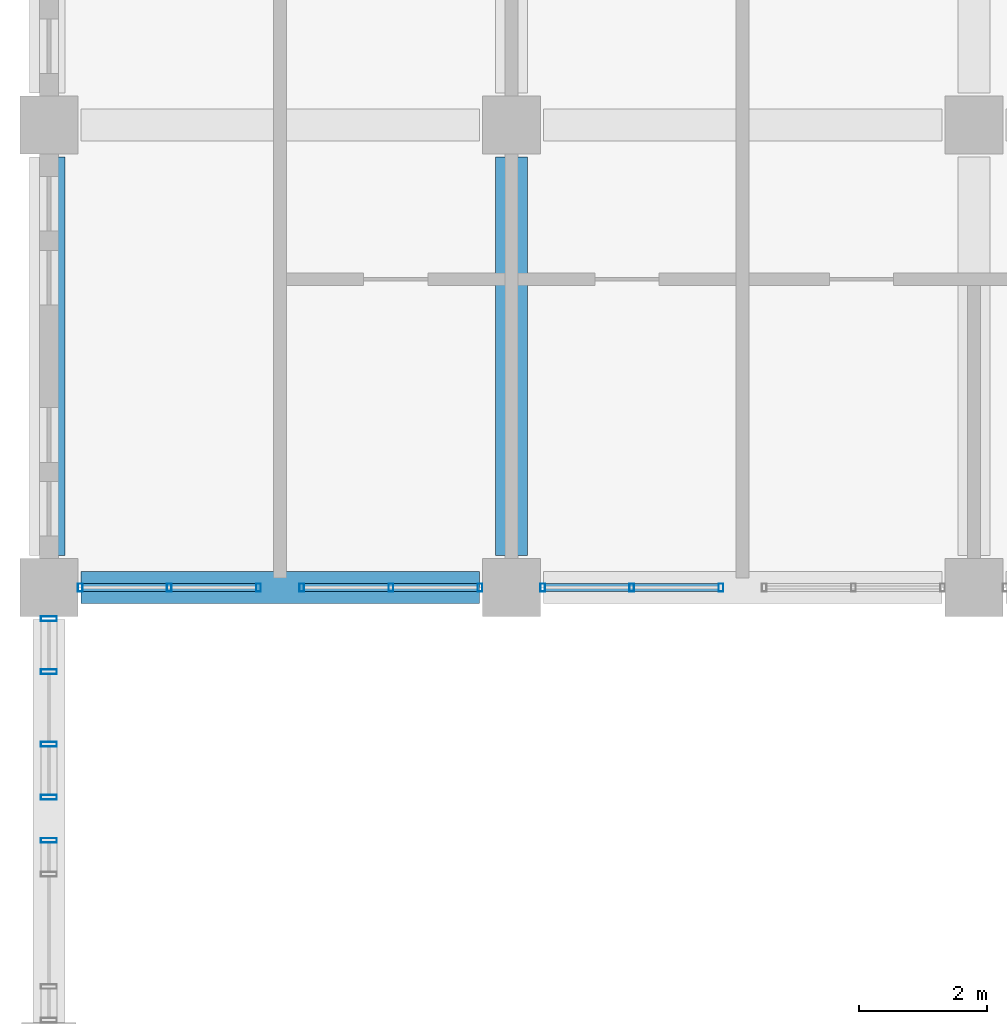
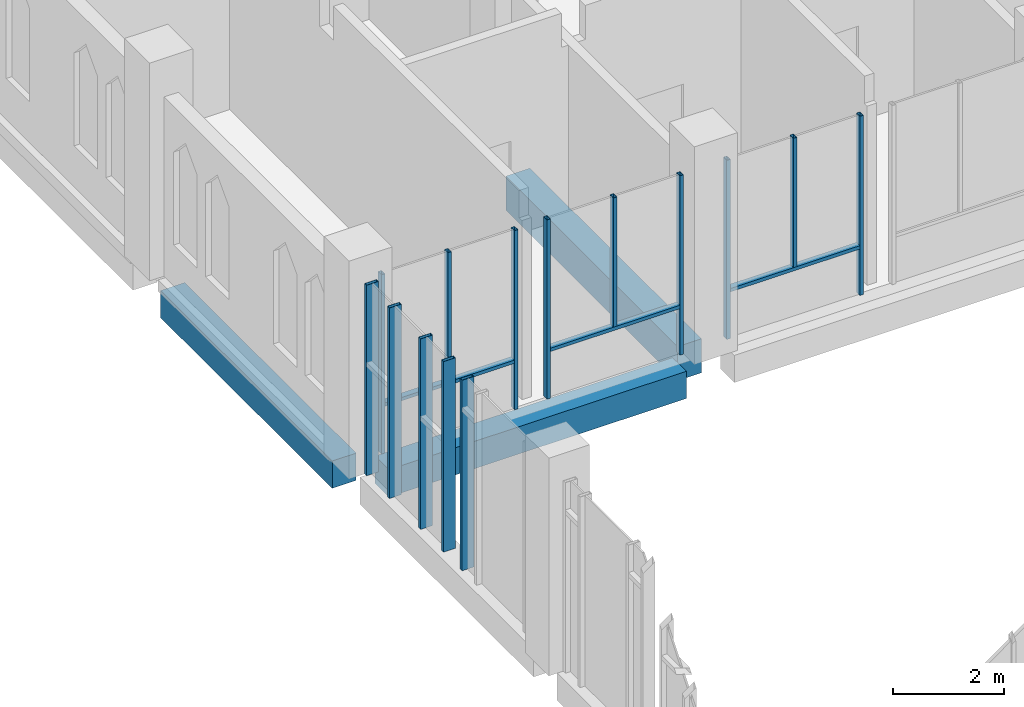
# One storey, part 7 of 40: 17 members, 3 beams, 5 elements without a shape of their own.
"""IFC4 building model written with IfcOpenShell, lengths in metres."""

from ifc_helpers import new_model, si_unit, direction, frame, origin, origin_2d, place, context, subcontext, project, spatial, rectangle, hollow_rectangle, extrude, material, material_profile, profile_set, type_object, element, aggregate, save


model = new_model("IFC4")

# Units and contexts
model_context = context("Model", 3, precision=1e-05, world=origin(), true_north=direction((0.0, 1.0)))
body_context = subcontext(model_context, "Body", "Model", "MODEL_VIEW")
ifc_project = project(units=[si_unit("LENGTHUNIT", "METRE"), si_unit("AREAUNIT", "SQUARE_METRE"), si_unit("VOLUMEUNIT", "CUBIC_METRE"), si_unit("PLANEANGLEUNIT", "RADIAN"), si_unit("MASSUNIT", "GRAM", prefix="KILO")], contexts=[model_context])

# Site, building, storey
site_placement = place(None, origin())
site = spatial("IfcSite", under=ifc_project, at=site_placement, CompositionType="ELEMENT")
building_placement = place(site_placement, origin())
building = spatial("IfcBuilding", under=site, at=building_placement, Name="Silangan Lancet Faculty of Sciences", CompositionType="ELEMENT")
storey_placement = place(building_placement, frame((0.0, 0.0, 16.800048828125)))
storey = spatial("IfcBuildingStorey", under=building, at=storey_placement, Name="L03", CompositionType="ELEMENT", Elevation=16.800048828125)

# Beams
ifc_material_1 = material(Name="Concrete C40/50", Category="concrete")
ifc_material_profile_1 = material_profile(ifc_material_1, rectangle(XDim=0.5, YDim=0.60009765625, at=origin_2d()), Name="RC 500x600")
ifc_profile_set_1 = profile_set([ifc_material_profile_1], Name="Concrete C40/50")
beam_type_1 = type_object("IfcBeamType", Name="BEAM RC 500x600", PredefinedType="BEAM", material=ifc_profile_set_1)
for number, where, z_axis, x_axis, name in (
    (1, (0.5, 36.0, -0.550048828125), (1.0, 0.0, 0.0), (0.0, 1.0, 0.0), "BM-L03-1F-2F"),
    (2, (0.0, 36.5, -0.550048828125), (0.0, 1.0, 0.0), (-1.0, 0.0, 0.0), "BM-L03-1F-1G"),
):
    element("IfcBeam", number, at=place(storey_placement, frame(where, z_axis=z_axis, x_axis=x_axis)), inside=storey, type_object=beam_type_1, Name=name, PredefinedType="BEAM", context=body_context, shape_type="SweptSolid", body=[
        extrude(rectangle(XDim=0.5, YDim=0.60009765625, at=origin_2d()), origin(), (0.0, 0.0, 1.0), 6.199951171875),
    ])
ifc_material_2 = material(Name="Concrete C40/50", Category="concrete")
ifc_material_profile_2 = material_profile(ifc_material_2, rectangle(XDim=0.5, YDim=0.75, at=origin_2d()), Name="RC 500x750")
ifc_profile_set_2 = profile_set([ifc_material_profile_2], Name="Concrete C40/50")
beam_type_2 = type_object("IfcBeamType", Name="BEAM RC 500x750", PredefinedType="BEAM", material=ifc_profile_set_2)
beam_placement = place(storey_placement, frame((7.199951171875, 36.5, -0.625), z_axis=(0.0, 1.0, 0.0), x_axis=(-1.0, 0.0, 0.0)))
element("IfcBeam", 3, at=beam_placement, inside=storey, type_object=beam_type_2, Name="BM-L03-2F-2G", PredefinedType="BEAM", context=body_context, shape_type="SweptSolid", body=[
    extrude(rectangle(XDim=0.5, YDim=0.75, at=origin_2d()), origin(), (0.0, 0.0, 1.0), 6.199951171875),
])

# Curtain wall, members
ifc_material_3 = material(Name="Aluminium framed curtain wall with insulated glass", Category="aluminium")
curtain_wall_type_1 = type_object("IfcCurtainWallType", Name="CW2 Atrium fire-resisting screen", PredefinedType="NOTDEFINED", material=ifc_material_3)
curtain_wall_1_placement = place(storey_placement, origin())
curtain_wall_1 = element("IfcCurtainWall", 4, at=curtain_wall_1_placement, inside=storey, type_object=curtain_wall_type_1, Name="CW2 Atrium north L03 bay 1", PredefinedType="NOTDEFINED")
ifc_material_4 = material(Name="Steel S355J2H", Category="steel")
ifc_material_profile_3 = material_profile(ifc_material_4, hollow_rectangle(XDim=0.074951171875, YDim=0.125, WallThickness=0.0048828125, at=origin_2d()), Name="ST BOX 75x125x5")
ifc_profile_set_3 = profile_set([ifc_material_profile_3], Name="Steel S355J2H")
member_type_1 = type_object("IfcMemberType", Name="CM2 Mullion 75x125", PredefinedType="MULLION", material=ifc_profile_set_3)
member_1_placement = place(storey_placement, frame((0.487548828125, 36.0, 0.0), z_axis=(0.0, 0.0, 1.0), x_axis=(1.0, 0.0, 0.0)))
member_1 = element("IfcMember", 5, at=member_1_placement, type_object=member_type_1, Name="CW2 Atrium north L03 bay 1 mullion 1", PredefinedType="MULLION", context=body_context, shape_type="SweptSolid", body=[
    extrude(hollow_rectangle(XDim=0.074951171875, YDim=0.125, WallThickness=0.0048828125, at=origin_2d()), origin(), (0.0, 0.0, 1.0), 3.949951171875),
])
member_2_placement = place(storey_placement, frame((3.2626953125, 36.0, 0.0), z_axis=(0.0, 0.0, 1.0), x_axis=(1.0, 0.0, 0.0)))
member_2 = element("IfcMember", 6, at=member_2_placement, type_object=member_type_1, Name="CW2 Atrium north L03 bay 1 mullion 2", PredefinedType="MULLION", context=body_context, shape_type="SweptSolid", body=[
    extrude(hollow_rectangle(XDim=0.074951171875, YDim=0.125, WallThickness=0.0048828125, at=origin_2d()), origin(), (0.0, 0.0, 1.0), 3.949951171875),
])
member_3_placement = place(storey_placement, frame((1.875, 36.0, 1.099853515625), z_axis=(0.0, 0.0, 1.0), x_axis=(1.0, 0.0, 0.0)))
member_3 = element("IfcMember", 7, at=member_3_placement, type_object=member_type_1, Name="CW2 Atrium north L03 bay 1 mullion 3", PredefinedType="MULLION", context=body_context, shape_type="SweptSolid", body=[
    extrude(hollow_rectangle(XDim=0.074951171875, YDim=0.125, WallThickness=0.0048828125, at=origin_2d()), origin(), (0.0, 0.0, 1.0), 2.85009765625),
])

curtain_wall_2_placement = place(storey_placement, origin())
curtain_wall_2 = element("IfcCurtainWall", 8, at=curtain_wall_2_placement, inside=storey, type_object=curtain_wall_type_1, Name="CW2 Atrium north L03 bay 2", PredefinedType="NOTDEFINED")
member_4_placement = place(storey_placement, frame((3.9375, 36.0, 0.0), z_axis=(0.0, 0.0, 1.0), x_axis=(1.0, 0.0, 0.0)))
member_4 = element("IfcMember", 9, at=member_4_placement, type_object=member_type_1, Name="CW2 Atrium north L03 bay 2 mullion 1", PredefinedType="MULLION", context=body_context, shape_type="SweptSolid", body=[
    extrude(hollow_rectangle(XDim=0.074951171875, YDim=0.125, WallThickness=0.0048828125, at=origin_2d()), origin(), (0.0, 0.0, 1.0), 3.949951171875),
])
member_5_placement = place(storey_placement, frame((6.71240234375, 36.0, 0.0), z_axis=(0.0, 0.0, 1.0), x_axis=(1.0, 0.0, 0.0)))
member_5 = element("IfcMember", 10, at=member_5_placement, type_object=member_type_1, Name="CW2 Atrium north L03 bay 2 mullion 2", PredefinedType="MULLION", context=body_context, shape_type="SweptSolid", body=[
    extrude(hollow_rectangle(XDim=0.074951171875, YDim=0.125, WallThickness=0.0048828125, at=origin_2d()), origin(), (0.0, 0.0, 1.0), 3.949951171875),
])
member_6_placement = place(storey_placement, frame((5.324951171875, 36.0, 1.099853515625), z_axis=(0.0, 0.0, 1.0), x_axis=(1.0, 0.0, 0.0)))
member_6 = element("IfcMember", 11, at=member_6_placement, type_object=member_type_1, Name="CW2 Atrium north L03 bay 2 mullion 3", PredefinedType="MULLION", context=body_context, shape_type="SweptSolid", body=[
    extrude(hollow_rectangle(XDim=0.074951171875, YDim=0.125, WallThickness=0.0048828125, at=origin_2d()), origin(), (0.0, 0.0, 1.0), 2.85009765625),
])

curtain_wall_3_placement = place(storey_placement, origin())
curtain_wall_3 = element("IfcCurtainWall", 12, at=curtain_wall_3_placement, inside=storey, type_object=curtain_wall_type_1, Name="CW2 Atrium north L03 bay 3", PredefinedType="NOTDEFINED")
member_7_placement = place(storey_placement, frame((7.6875, 36.0, 0.0), z_axis=(0.0, 0.0, 1.0), x_axis=(1.0, 0.0, 0.0)))
member_7 = element("IfcMember", 13, at=member_7_placement, type_object=member_type_1, Name="CW2 Atrium north L03 bay 3 mullion 1", PredefinedType="MULLION", context=body_context, shape_type="SweptSolid", body=[
    extrude(hollow_rectangle(XDim=0.074951171875, YDim=0.125, WallThickness=0.0048828125, at=origin_2d()), origin(), (0.0, 0.0, 1.0), 3.949951171875),
])
member_8_placement = place(storey_placement, frame((10.46240234375, 36.0, 0.0), z_axis=(0.0, 0.0, 1.0), x_axis=(1.0, 0.0, 0.0)))
member_8 = element("IfcMember", 14, at=member_8_placement, type_object=member_type_1, Name="CW2 Atrium north L03 bay 3 mullion 2", PredefinedType="MULLION", context=body_context, shape_type="SweptSolid", body=[
    extrude(hollow_rectangle(XDim=0.074951171875, YDim=0.125, WallThickness=0.0048828125, at=origin_2d()), origin(), (0.0, 0.0, 1.0), 3.949951171875),
])
member_9_placement = place(storey_placement, frame((9.074951171875, 36.0, 1.099853515625), z_axis=(0.0, 0.0, 1.0), x_axis=(1.0, 0.0, 0.0)))
member_9 = element("IfcMember", 15, at=member_9_placement, type_object=member_type_1, Name="CW2 Atrium north L03 bay 3 mullion 3", PredefinedType="MULLION", context=body_context, shape_type="SweptSolid", body=[
    extrude(hollow_rectangle(XDim=0.074951171875, YDim=0.125, WallThickness=0.0048828125, at=origin_2d()), origin(), (0.0, 0.0, 1.0), 2.85009765625),
])

# Curtain wall, member
ifc_material_5 = material(Name="Aluminium framed curtain wall with insulated glass", Category="aluminium")
curtain_wall_type_2 = type_object("IfcCurtainWallType", Name="CW6 West window middle bays", PredefinedType="NOTDEFINED", material=ifc_material_5)
curtain_wall_4_placement = place(storey_placement, origin())
curtain_wall_4 = element("IfcCurtainWall", 16, at=curtain_wall_4_placement, inside=storey, type_object=curtain_wall_type_2, Name="CW6 West window L03 bay 3", PredefinedType="NOTDEFINED")
ifc_material_6 = material(Name="Aluminium 6063-T6 extrusion", Category="aluminium")
ifc_material_profile_4 = material_profile(ifc_material_6, hollow_rectangle(XDim=0.074951171875, YDim=0.25, WallThickness=0.006103515625, at=origin_2d()), Name="AL BOX 75x250x6")
ifc_profile_set_4 = profile_set([ifc_material_profile_4], Name="Aluminium 6063-T6 extrusion")
member_type_2 = type_object("IfcMemberType", Name="CM3 Mullion 75x250", PredefinedType="MULLION", material=ifc_profile_set_4)
member_10_placement = place(storey_placement, frame((0.0, 32.0625, 0.0), z_axis=(0.0, 0.0, 1.0), x_axis=(0.0, 1.0, 0.0)))
member_10 = element("IfcMember", 17, at=member_10_placement, type_object=member_type_2, Name="CW6 West window L03 bay 3 mullion 2", PredefinedType="MULLION", context=body_context, shape_type="SweptSolid", body=[
    extrude(hollow_rectangle(XDim=0.074951171875, YDim=0.25, WallThickness=0.006103515625, at=origin_2d()), origin(), (0.0, 0.0, 1.0), 4.199951171875),
])
aggregate(curtain_wall_4, [member_10])

# Curtain wall, members
ifc_material_7 = material(Name="Aluminium framed curtain wall with insulated glass", Category="aluminium")
curtain_wall_type_3 = type_object("IfcCurtainWallType", Name="CW3 West stepped lancet window", PredefinedType="NOTDEFINED", material=ifc_material_7)
curtain_wall_5_placement = place(storey_placement, origin())
curtain_wall_5 = element("IfcCurtainWall", 18, at=curtain_wall_5_placement, inside=storey, type_object=curtain_wall_type_3, Name="CW3 West window L03 bay 4", PredefinedType="NOTDEFINED")
member_11_placement = place(storey_placement, frame((0.0, 32.7373046875, 0.0), z_axis=(0.0, 0.0, 1.0), x_axis=(0.0, 1.0, 0.0)))
member_11 = element("IfcMember", 19, at=member_11_placement, type_object=member_type_2, Name="CW3 West window L03 bay 4 mullion 1", PredefinedType="MULLION", context=body_context, shape_type="SweptSolid", body=[
    extrude(hollow_rectangle(XDim=0.074951171875, YDim=0.25, WallThickness=0.006103515625, at=origin_2d()), origin(), (0.0, 0.0, 1.0), 4.199951171875),
])
member_12_placement = place(storey_placement, frame((0.0, 35.512451171875, 0.0), z_axis=(0.0, 0.0, 1.0), x_axis=(0.0, 1.0, 0.0)))
member_12 = element("IfcMember", 20, at=member_12_placement, type_object=member_type_2, Name="CW3 West window L03 bay 4 mullion 2", PredefinedType="MULLION", context=body_context, shape_type="SweptSolid", body=[
    extrude(hollow_rectangle(XDim=0.074951171875, YDim=0.25, WallThickness=0.006103515625, at=origin_2d()), origin(), (0.0, 0.0, 1.0), 4.199951171875),
])
member_13_placement = place(storey_placement, frame((0.0, 33.5625, 0.0), z_axis=(0.0, 0.0, 1.0), x_axis=(0.0, 1.0, 0.0)))
member_13 = element("IfcMember", 21, at=member_13_placement, type_object=member_type_2, Name="CW3 West window L03 bay 4 mullion 3", PredefinedType="MULLION", context=body_context, shape_type="SweptSolid", body=[
    extrude(hollow_rectangle(XDim=0.074951171875, YDim=0.25, WallThickness=0.006103515625, at=origin_2d()), origin(), (0.0, 0.0, 1.0), 4.199951171875),
])
member_14_placement = place(storey_placement, frame((0.0, 34.6875, 0.0), z_axis=(0.0, 0.0, 1.0), x_axis=(0.0, 1.0, 0.0)))
member_14 = element("IfcMember", 22, at=member_14_placement, type_object=member_type_2, Name="CW3 West window L03 bay 4 mullion 4", PredefinedType="MULLION", context=body_context, shape_type="SweptSolid", body=[
    extrude(hollow_rectangle(XDim=0.074951171875, YDim=0.25, WallThickness=0.006103515625, at=origin_2d()), origin(), (0.0, 0.0, 1.0), 4.199951171875),
])
aggregate(curtain_wall_5, [member_11, member_12, member_13, member_14])

# Member
ifc_material_8 = material(Name="Steel S355J2H", Category="steel")
ifc_material_profile_5 = material_profile(ifc_material_8, hollow_rectangle(XDim=0.125, YDim=0.074951171875, WallThickness=0.0048828125, at=origin_2d()), Name="ST BOX 125x75x5")
ifc_profile_set_5 = profile_set([ifc_material_profile_5], Name="Steel S355J2H")
member_type_3 = type_object("IfcMemberType", Name="CT2 Transom 125x75", PredefinedType="USERDEFINED", material=ifc_profile_set_5)
member_15_placement = place(storey_placement, frame((0.52490234375, 36.0, 1.0625), z_axis=(1.0, 0.0, 0.0), x_axis=(0.0, 1.0, 0.0)))
member_15 = element("IfcMember", 23, at=member_15_placement, type_object=member_type_3, Name="CW2 Atrium north L03 bay 1 transom 1", ObjectType="TRANSOM", PredefinedType="USERDEFINED", context=body_context, shape_type="SweptSolid", body=[
    extrude(hollow_rectangle(XDim=0.125, YDim=0.074951171875, WallThickness=0.0048828125, at=origin_2d()), origin(), (0.0, 0.0, 1.0), 2.7001953125),
])

aggregate(curtain_wall_1, [member_1, member_2, member_3, member_15])

member_16_placement = place(storey_placement, frame((3.97509765625, 36.0, 1.0625), z_axis=(1.0, 0.0, 0.0), x_axis=(0.0, 1.0, 0.0)))
member_16 = element("IfcMember", 24, at=member_16_placement, type_object=member_type_3, Name="CW2 Atrium north L03 bay 2 transom 1", ObjectType="TRANSOM", PredefinedType="USERDEFINED", context=body_context, shape_type="SweptSolid", body=[
    extrude(hollow_rectangle(XDim=0.125, YDim=0.074951171875, WallThickness=0.0048828125, at=origin_2d()), origin(), (0.0, 0.0, 1.0), 2.699951171875),
])

aggregate(curtain_wall_2, [member_4, member_5, member_6, member_16])

member_17_placement = place(storey_placement, frame((7.72509765625, 36.0, 1.0625), z_axis=(1.0, 0.0, 0.0), x_axis=(0.0, 1.0, 0.0)))
member_17 = element("IfcMember", 25, at=member_17_placement, type_object=member_type_3, Name="CW2 Atrium north L03 bay 3 transom 1", ObjectType="TRANSOM", PredefinedType="USERDEFINED", context=body_context, shape_type="SweptSolid", body=[
    extrude(hollow_rectangle(XDim=0.125, YDim=0.074951171875, WallThickness=0.0048828125, at=origin_2d()), origin(), (0.0, 0.0, 1.0), 2.699951171875),
])

aggregate(curtain_wall_3, [member_7, member_8, member_9, member_17])

save(model, "model.ifc")
